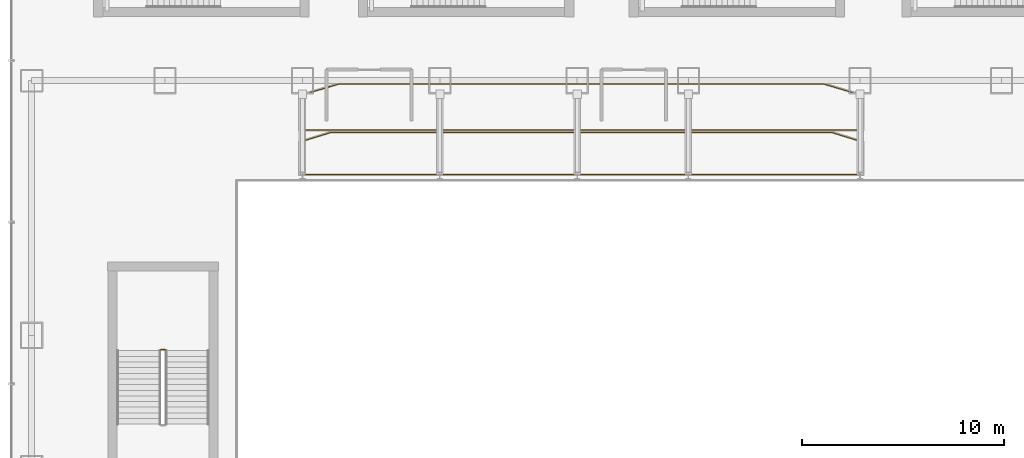
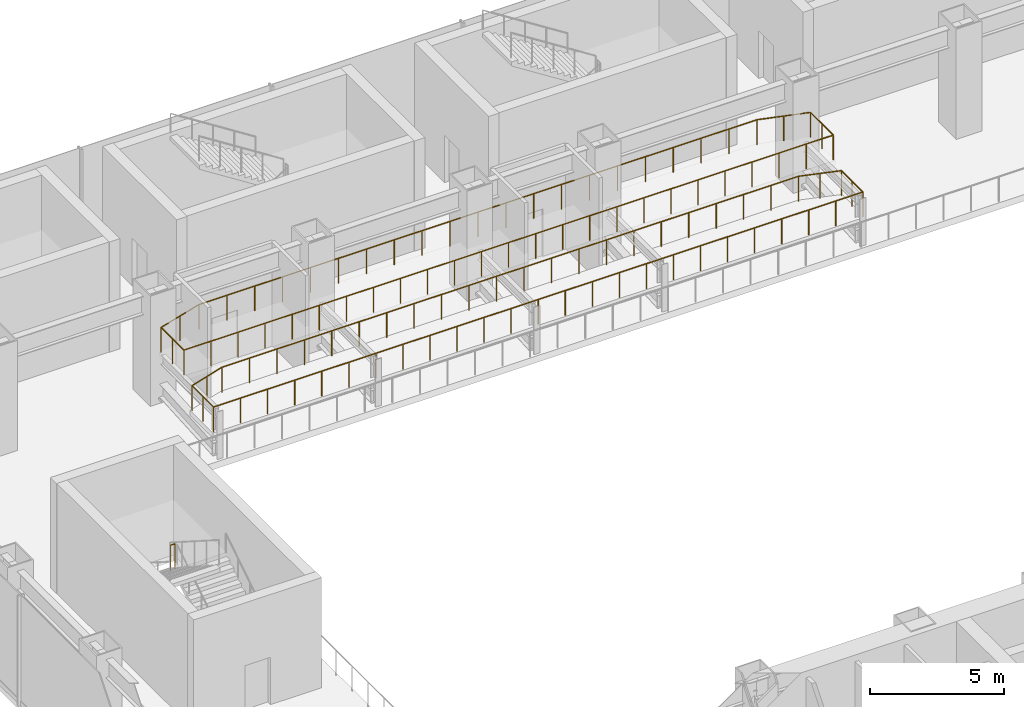
# One storey, part 35 of 39: 3 railings.
"""IFC4 building model written with IfcOpenShell, lengths in metres."""

from ifc_helpers import new_model, si_unit, derived_unit, direction, frame, origin, origin_2d, place, context, subcontext, project, spatial, circle, extrude, material, type_object, element, save


model = new_model("IFC4")

# Units and contexts
model_context = context("Model", 3, precision=1e-05, world=origin(), true_north=direction((0.0, 1.0)))
body_context = subcontext(model_context, "Body", "Model", "MODEL_VIEW")
ifc_project = project(units=[si_unit("LENGTHUNIT", "METRE"), si_unit("AREAUNIT", "SQUARE_METRE"), si_unit("VOLUMEUNIT", "CUBIC_METRE"), si_unit("PLANEANGLEUNIT", "RADIAN"), si_unit("MASSUNIT", "GRAM", prefix="KILO"), derived_unit("THERMALTRANSMITTANCEUNIT", [(si_unit("POWERUNIT", "WATT"), 1), (si_unit("LENGTHUNIT", "METRE"), -2), (si_unit("THERMODYNAMICTEMPERATUREUNIT", "KELVIN"), -1)])], contexts=[model_context])

# Site, building, storey
site_placement = place(None, origin())
site = spatial("IfcSite", under=ifc_project, at=site_placement, CompositionType="ELEMENT")
building_placement = place(site_placement, origin())
building = spatial("IfcBuilding", under=site, at=building_placement, Name="Skarnbrae Concourse Arena and Tower", CompositionType="ELEMENT")
storey_placement = place(building_placement, frame((0.0, 0.0, 16.0)))
storey = spatial("IfcBuildingStorey", under=building, at=storey_placement, Name="L03", CompositionType="ELEMENT", Elevation=16.0)

# Railings
ifc_material = material(Name="Steel CSA G40.21 350W", Category="steel")
railing_type_1 = type_object("IfcRailingType", Name="RAIL-GUARD-1150", PredefinedType="GUARDRAIL", material=ifc_material)
railing_1_placement = place(storey_placement, frame((14.260009765625, 42.360107421875, 1.1201171875)))
element("IfcRailing", 1, at=railing_1_placement, inside=storey, type_object=railing_type_1, Name="L03 Arena seating tier lower terrace guardrail", PredefinedType="GUARDRAIL", context=body_context, shape_type="SweptSolid", body=[
    extrude(circle(Radius=0.02392578125, at=origin_2d()), frame((0.0, 0.0, 1.1259765625), z_axis=(1.0, 0.0, 0.0), x_axis=(0.0, 1.0, 0.0)), (0.0, 0.0, 1.0), 27.8798828125),
    extrude(circle(Radius=0.02392578125, at=origin_2d()), frame((27.8798828125, 0.0, 1.1259765625), z_axis=(0.0, 1.0, 0.0), x_axis=(-1.0, 0.0, 0.0)), (0.0, 0.0, 1.0), 1.599853515625),
    extrude(circle(Radius=0.02392578125, at=origin_2d()), frame((27.8798828125, 1.599853515625, 1.1259765625), z_axis=(-0.955772539449, 0.29410687315, 0.0), x_axis=(-0.29410687315, -0.955772539449, 0.0)), (0.0, 0.0, 1.0), 1.632080078125),
    extrude(circle(Radius=0.02392578125, at=origin_2d()), frame((26.320068359375, 2.079833984375, 1.1259765625), z_axis=(-1.0, 0.0, 0.0), x_axis=(0.0, -1.0, 0.0)), (0.0, 0.0, 1.0), 24.760009765625),
    extrude(circle(Radius=0.02392578125, at=origin_2d()), frame((1.56005859375, 2.079833984375, 1.1259765625), z_axis=(-0.955785476607, -0.294064827388, 0.0), x_axis=(0.294064827388, -0.955785476607, 0.0)), (0.0, 0.0, 1.0), 1.63232421875),
    extrude(circle(Radius=0.02392578125, at=origin_2d()), frame((0.0, 1.599853515625, 1.1259765625), z_axis=(0.0, -1.0, 0.0), x_axis=(1.0, 0.0, 0.0)), (0.0, 0.0, 1.0), 1.599853515625),
    extrude(circle(Radius=0.02099609375, at=origin_2d()), origin(), (0.0, 0.0, 1.0), 1.101806640625),
    extrude(circle(Radius=0.02099609375, at=origin_2d()), frame((1.16162109375, 0.0, 0.0)), (0.0, 0.0, 1.0), 1.101806640625),
    extrude(circle(Radius=0.02099609375, at=origin_2d()), frame((2.3232421875, 0.0, 0.0)), (0.0, 0.0, 1.0), 1.101806640625),
    extrude(circle(Radius=0.02099609375, at=origin_2d()), frame((3.48486328125, 0.0, 0.0)), (0.0, 0.0, 1.0), 1.101806640625),
    extrude(circle(Radius=0.02099609375, at=origin_2d()), frame((4.646728515625, 0.0, 0.0)), (0.0, 0.0, 1.0), 1.101806640625),
    extrude(circle(Radius=0.02099609375, at=origin_2d()), frame((5.808349609375, 0.0, 0.0)), (0.0, 0.0, 1.0), 1.101806640625),
    extrude(circle(Radius=0.02099609375, at=origin_2d()), frame((6.969970703125, 0.0, 0.0)), (0.0, 0.0, 1.0), 1.101806640625),
    extrude(circle(Radius=0.02099609375, at=origin_2d()), frame((8.131591796875, 0.0, 0.0)), (0.0, 0.0, 1.0), 1.101806640625),
    extrude(circle(Radius=0.02099609375, at=origin_2d()), frame((9.293212890625, 0.0, 0.0)), (0.0, 0.0, 1.0), 1.101806640625),
    extrude(circle(Radius=0.02099609375, at=origin_2d()), frame((10.455078125, 0.0, 0.0)), (0.0, 0.0, 1.0), 1.101806640625),
    extrude(circle(Radius=0.02099609375, at=origin_2d()), frame((11.61669921875, 0.0, 0.0)), (0.0, 0.0, 1.0), 1.101806640625),
    extrude(circle(Radius=0.02099609375, at=origin_2d()), frame((12.7783203125, 0.0, 0.0)), (0.0, 0.0, 1.0), 1.101806640625),
    extrude(circle(Radius=0.02099609375, at=origin_2d()), frame((13.93994140625, 0.0, 0.0)), (0.0, 0.0, 1.0), 1.101806640625),
    extrude(circle(Radius=0.02099609375, at=origin_2d()), frame((15.1015625, 0.0, 0.0)), (0.0, 0.0, 1.0), 1.101806640625),
    extrude(circle(Radius=0.02099609375, at=origin_2d()), frame((16.26318359375, 0.0, 0.0)), (0.0, 0.0, 1.0), 1.101806640625),
    extrude(circle(Radius=0.02099609375, at=origin_2d()), frame((17.4248046875, 0.0, 0.0)), (0.0, 0.0, 1.0), 1.101806640625),
    extrude(circle(Radius=0.02099609375, at=origin_2d()), frame((18.586669921875, 0.0, 0.0)), (0.0, 0.0, 1.0), 1.101806640625),
    extrude(circle(Radius=0.02099609375, at=origin_2d()), frame((19.748291015625, 0.0, 0.0)), (0.0, 0.0, 1.0), 1.101806640625),
    extrude(circle(Radius=0.02099609375, at=origin_2d()), frame((20.909912109375, 0.0, 0.0)), (0.0, 0.0, 1.0), 1.101806640625),
    extrude(circle(Radius=0.02099609375, at=origin_2d()), frame((22.071533203125, 0.0, 0.0)), (0.0, 0.0, 1.0), 1.101806640625),
    extrude(circle(Radius=0.02099609375, at=origin_2d()), frame((23.233154296875, 0.0, 0.0)), (0.0, 0.0, 1.0), 1.101806640625),
    extrude(circle(Radius=0.02099609375, at=origin_2d()), frame((24.39501953125, 0.0, 0.0)), (0.0, 0.0, 1.0), 1.101806640625),
    extrude(circle(Radius=0.02099609375, at=origin_2d()), frame((25.556640625, 0.0, 0.0)), (0.0, 0.0, 1.0), 1.101806640625),
    extrude(circle(Radius=0.02099609375, at=origin_2d()), frame((26.71826171875, 0.0, 0.0)), (0.0, 0.0, 1.0), 1.101806640625),
    extrude(circle(Radius=0.02099609375, at=origin_2d()), frame((27.8798828125, 0.0, 0.0)), (0.0, 0.0, 1.0), 1.101806640625),
    extrude(circle(Radius=0.02099609375, at=origin_2d()), frame((27.8798828125, 0.7998046875, 0.0)), (0.0, 0.0, 1.0), 1.101806640625),
    extrude(circle(Radius=0.02099609375, at=origin_2d()), frame((27.8798828125, 1.599853515625, 0.0)), (0.0, 0.0, 1.0), 1.101806640625),
    extrude(circle(Radius=0.02099609375, at=origin_2d()), frame((27.10009765625, 1.83984375, 0.0)), (0.0, 0.0, 1.0), 1.101806640625),
    extrude(circle(Radius=0.02099609375, at=origin_2d()), frame((26.320068359375, 2.079833984375, 0.0)), (0.0, 0.0, 1.0), 1.101806640625),
    extrude(circle(Radius=0.02099609375, at=origin_2d()), frame((25.14111328125, 2.079833984375, 0.0)), (0.0, 0.0, 1.0), 1.101806640625),
    extrude(circle(Radius=0.02099609375, at=origin_2d()), frame((23.9619140625, 2.079833984375, 0.0)), (0.0, 0.0, 1.0), 1.101806640625),
    extrude(circle(Radius=0.02099609375, at=origin_2d()), frame((22.782958984375, 2.079833984375, 0.0)), (0.0, 0.0, 1.0), 1.101806640625),
    extrude(circle(Radius=0.02099609375, at=origin_2d()), frame((21.603759765625, 2.079833984375, 0.0)), (0.0, 0.0, 1.0), 1.101806640625),
    extrude(circle(Radius=0.02099609375, at=origin_2d()), frame((20.4248046875, 2.079833984375, 0.0)), (0.0, 0.0, 1.0), 1.101806640625),
    extrude(circle(Radius=0.02099609375, at=origin_2d()), frame((19.245849609375, 2.079833984375, 0.0)), (0.0, 0.0, 1.0), 1.101806640625),
    extrude(circle(Radius=0.02099609375, at=origin_2d()), frame((18.066650390625, 2.079833984375, 0.0)), (0.0, 0.0, 1.0), 1.101806640625),
    extrude(circle(Radius=0.02099609375, at=origin_2d()), frame((16.8876953125, 2.079833984375, 0.0)), (0.0, 0.0, 1.0), 1.101806640625),
    extrude(circle(Radius=0.02099609375, at=origin_2d()), frame((15.708740234375, 2.079833984375, 0.0)), (0.0, 0.0, 1.0), 1.101806640625),
    extrude(circle(Radius=0.02099609375, at=origin_2d()), frame((14.529541015625, 2.079833984375, 0.0)), (0.0, 0.0, 1.0), 1.101806640625),
    extrude(circle(Radius=0.02099609375, at=origin_2d()), frame((13.3505859375, 2.079833984375, 0.0)), (0.0, 0.0, 1.0), 1.101806640625),
    extrude(circle(Radius=0.02099609375, at=origin_2d()), frame((12.17138671875, 2.079833984375, 0.0)), (0.0, 0.0, 1.0), 1.101806640625),
    extrude(circle(Radius=0.02099609375, at=origin_2d()), frame((10.992431640625, 2.079833984375, 0.0)), (0.0, 0.0, 1.0), 1.101806640625),
    extrude(circle(Radius=0.02099609375, at=origin_2d()), frame((9.8134765625, 2.079833984375, 0.0)), (0.0, 0.0, 1.0), 1.101806640625),
    extrude(circle(Radius=0.02099609375, at=origin_2d()), frame((8.63427734375, 2.079833984375, 0.0)), (0.0, 0.0, 1.0), 1.101806640625),
    extrude(circle(Radius=0.02099609375, at=origin_2d()), frame((7.455322265625, 2.079833984375, 0.0)), (0.0, 0.0, 1.0), 1.101806640625),
    extrude(circle(Radius=0.02099609375, at=origin_2d()), frame((6.2763671875, 2.079833984375, 0.0)), (0.0, 0.0, 1.0), 1.101806640625),
    extrude(circle(Radius=0.02099609375, at=origin_2d()), frame((5.09716796875, 2.079833984375, 0.0)), (0.0, 0.0, 1.0), 1.101806640625),
    extrude(circle(Radius=0.02099609375, at=origin_2d()), frame((3.918212890625, 2.079833984375, 0.0)), (0.0, 0.0, 1.0), 1.101806640625),
    extrude(circle(Radius=0.02099609375, at=origin_2d()), frame((2.739013671875, 2.079833984375, 0.0)), (0.0, 0.0, 1.0), 1.101806640625),
    extrude(circle(Radius=0.02099609375, at=origin_2d()), frame((1.56005859375, 2.079833984375, 0.0)), (0.0, 0.0, 1.0), 1.101806640625),
    extrude(circle(Radius=0.02099609375, at=origin_2d()), frame((0.780029296875, 1.83984375, 0.0)), (0.0, 0.0, 1.0), 1.101806640625),
    extrude(circle(Radius=0.02099609375, at=origin_2d()), frame((0.0, 1.599853515625, 0.0)), (0.0, 0.0, 1.0), 1.101806640625),
    extrude(circle(Radius=0.02099609375, at=origin_2d()), frame((0.0, 0.7998046875, 0.0)), (0.0, 0.0, 1.0), 1.101806640625),
])
railing_2_placement = place(storey_placement, frame((14.260009765625, 44.56005859375, 2.3701171875)))
element("IfcRailing", 2, at=railing_2_placement, inside=storey, type_object=railing_type_1, Name="L03 Arena seating tier upper terrace guardrail", PredefinedType="GUARDRAIL", context=body_context, shape_type="SweptSolid", body=[
    extrude(circle(Radius=0.02392578125, at=origin_2d()), frame((0.0, 0.0, 1.1259765625), z_axis=(1.0, 0.0, 0.0), x_axis=(0.0, 1.0, 0.0)), (0.0, 0.0, 1.0), 27.8798828125),
    extrude(circle(Radius=0.02392578125, at=origin_2d()), frame((27.8798828125, 0.0, 1.1259765625), z_axis=(0.0, 1.0, 0.0), x_axis=(-1.0, 0.0, 0.0)), (0.0, 0.0, 1.0), 1.699951171875),
    extrude(circle(Radius=0.02392578125, at=origin_2d()), frame((27.8798828125, 1.699951171875, 1.1259765625), z_axis=(-0.958884825768, 0.283795508972, 0.0), x_axis=(-0.283795508972, -0.958884825768, 0.0)), (0.0, 0.0, 1.0), 2.0439453125),
    extrude(circle(Radius=0.02392578125, at=origin_2d()), frame((25.919921875, 2.280029296875, 1.1259765625), z_axis=(-1.0, 0.0, 0.0), x_axis=(0.0, -1.0, 0.0)), (0.0, 0.0, 1.0), 23.9599609375),
    extrude(circle(Radius=0.02392578125, at=origin_2d()), frame((1.9599609375, 2.280029296875, 1.1259765625), z_axis=(-0.958884825768, -0.283795508972, 0.0), x_axis=(0.283795508972, -0.958884825768, 0.0)), (0.0, 0.0, 1.0), 2.0439453125),
    extrude(circle(Radius=0.02392578125, at=origin_2d()), frame((0.0, 1.699951171875, 1.1259765625), z_axis=(0.0, -1.0, 0.0), x_axis=(1.0, 0.0, 0.0)), (0.0, 0.0, 1.0), 1.699951171875),
    extrude(circle(Radius=0.02099609375, at=origin_2d()), origin(), (0.0, 0.0, 1.0), 1.101806640625),
    extrude(circle(Radius=0.02099609375, at=origin_2d()), frame((1.16162109375, 0.0, 0.0)), (0.0, 0.0, 1.0), 1.101806640625),
    extrude(circle(Radius=0.02099609375, at=origin_2d()), frame((2.3232421875, 0.0, 0.0)), (0.0, 0.0, 1.0), 1.101806640625),
    extrude(circle(Radius=0.02099609375, at=origin_2d()), frame((3.48486328125, 0.0, 0.0)), (0.0, 0.0, 1.0), 1.101806640625),
    extrude(circle(Radius=0.02099609375, at=origin_2d()), frame((4.646728515625, 0.0, 0.0)), (0.0, 0.0, 1.0), 1.101806640625),
    extrude(circle(Radius=0.02099609375, at=origin_2d()), frame((5.808349609375, 0.0, 0.0)), (0.0, 0.0, 1.0), 1.101806640625),
    extrude(circle(Radius=0.02099609375, at=origin_2d()), frame((6.969970703125, 0.0, 0.0)), (0.0, 0.0, 1.0), 1.101806640625),
    extrude(circle(Radius=0.02099609375, at=origin_2d()), frame((8.131591796875, 0.0, 0.0)), (0.0, 0.0, 1.0), 1.101806640625),
    extrude(circle(Radius=0.02099609375, at=origin_2d()), frame((9.293212890625, 0.0, 0.0)), (0.0, 0.0, 1.0), 1.101806640625),
    extrude(circle(Radius=0.02099609375, at=origin_2d()), frame((10.455078125, 0.0, 0.0)), (0.0, 0.0, 1.0), 1.101806640625),
    extrude(circle(Radius=0.02099609375, at=origin_2d()), frame((11.61669921875, 0.0, 0.0)), (0.0, 0.0, 1.0), 1.101806640625),
    extrude(circle(Radius=0.02099609375, at=origin_2d()), frame((12.7783203125, 0.0, 0.0)), (0.0, 0.0, 1.0), 1.101806640625),
    extrude(circle(Radius=0.02099609375, at=origin_2d()), frame((13.93994140625, 0.0, 0.0)), (0.0, 0.0, 1.0), 1.101806640625),
    extrude(circle(Radius=0.02099609375, at=origin_2d()), frame((15.1015625, 0.0, 0.0)), (0.0, 0.0, 1.0), 1.101806640625),
    extrude(circle(Radius=0.02099609375, at=origin_2d()), frame((16.26318359375, 0.0, 0.0)), (0.0, 0.0, 1.0), 1.101806640625),
    extrude(circle(Radius=0.02099609375, at=origin_2d()), frame((17.4248046875, 0.0, 0.0)), (0.0, 0.0, 1.0), 1.101806640625),
    extrude(circle(Radius=0.02099609375, at=origin_2d()), frame((18.586669921875, 0.0, 0.0)), (0.0, 0.0, 1.0), 1.101806640625),
    extrude(circle(Radius=0.02099609375, at=origin_2d()), frame((19.748291015625, 0.0, 0.0)), (0.0, 0.0, 1.0), 1.101806640625),
    extrude(circle(Radius=0.02099609375, at=origin_2d()), frame((20.909912109375, 0.0, 0.0)), (0.0, 0.0, 1.0), 1.101806640625),
    extrude(circle(Radius=0.02099609375, at=origin_2d()), frame((22.071533203125, 0.0, 0.0)), (0.0, 0.0, 1.0), 1.101806640625),
    extrude(circle(Radius=0.02099609375, at=origin_2d()), frame((23.233154296875, 0.0, 0.0)), (0.0, 0.0, 1.0), 1.101806640625),
    extrude(circle(Radius=0.02099609375, at=origin_2d()), frame((24.39501953125, 0.0, 0.0)), (0.0, 0.0, 1.0), 1.101806640625),
    extrude(circle(Radius=0.02099609375, at=origin_2d()), frame((25.556640625, 0.0, 0.0)), (0.0, 0.0, 1.0), 1.101806640625),
    extrude(circle(Radius=0.02099609375, at=origin_2d()), frame((26.71826171875, 0.0, 0.0)), (0.0, 0.0, 1.0), 1.101806640625),
    extrude(circle(Radius=0.02099609375, at=origin_2d()), frame((27.8798828125, 0.0, 0.0)), (0.0, 0.0, 1.0), 1.101806640625),
    extrude(circle(Radius=0.02099609375, at=origin_2d()), frame((27.8798828125, 0.85009765625, 0.0)), (0.0, 0.0, 1.0), 1.101806640625),
    extrude(circle(Radius=0.02099609375, at=origin_2d()), frame((27.8798828125, 1.699951171875, 0.0)), (0.0, 0.0, 1.0), 1.101806640625),
    extrude(circle(Radius=0.02099609375, at=origin_2d()), frame((26.89990234375, 1.989990234375, 0.0)), (0.0, 0.0, 1.0), 1.101806640625),
    extrude(circle(Radius=0.02099609375, at=origin_2d()), frame((25.919921875, 2.280029296875, 0.0)), (0.0, 0.0, 1.0), 1.101806640625),
    extrude(circle(Radius=0.02099609375, at=origin_2d()), frame((24.721923828125, 2.280029296875, 0.0)), (0.0, 0.0, 1.0), 1.101806640625),
    extrude(circle(Radius=0.02099609375, at=origin_2d()), frame((23.52392578125, 2.280029296875, 0.0)), (0.0, 0.0, 1.0), 1.101806640625),
    extrude(circle(Radius=0.02099609375, at=origin_2d()), frame((22.325927734375, 2.280029296875, 0.0)), (0.0, 0.0, 1.0), 1.101806640625),
    extrude(circle(Radius=0.02099609375, at=origin_2d()), frame((21.1279296875, 2.280029296875, 0.0)), (0.0, 0.0, 1.0), 1.101806640625),
    extrude(circle(Radius=0.02099609375, at=origin_2d()), frame((19.929931640625, 2.280029296875, 0.0)), (0.0, 0.0, 1.0), 1.101806640625),
    extrude(circle(Radius=0.02099609375, at=origin_2d()), frame((18.73193359375, 2.280029296875, 0.0)), (0.0, 0.0, 1.0), 1.101806640625),
    extrude(circle(Radius=0.02099609375, at=origin_2d()), frame((17.533935546875, 2.280029296875, 0.0)), (0.0, 0.0, 1.0), 1.101806640625),
    extrude(circle(Radius=0.02099609375, at=origin_2d()), frame((16.3359375, 2.280029296875, 0.0)), (0.0, 0.0, 1.0), 1.101806640625),
    extrude(circle(Radius=0.02099609375, at=origin_2d()), frame((15.137939453125, 2.280029296875, 0.0)), (0.0, 0.0, 1.0), 1.101806640625),
    extrude(circle(Radius=0.02099609375, at=origin_2d()), frame((13.93994140625, 2.280029296875, 0.0)), (0.0, 0.0, 1.0), 1.101806640625),
    extrude(circle(Radius=0.02099609375, at=origin_2d()), frame((12.741943359375, 2.280029296875, 0.0)), (0.0, 0.0, 1.0), 1.101806640625),
    extrude(circle(Radius=0.02099609375, at=origin_2d()), frame((11.5439453125, 2.280029296875, 0.0)), (0.0, 0.0, 1.0), 1.101806640625),
    extrude(circle(Radius=0.02099609375, at=origin_2d()), frame((10.345947265625, 2.280029296875, 0.0)), (0.0, 0.0, 1.0), 1.101806640625),
    extrude(circle(Radius=0.02099609375, at=origin_2d()), frame((9.14794921875, 2.280029296875, 0.0)), (0.0, 0.0, 1.0), 1.101806640625),
    extrude(circle(Radius=0.02099609375, at=origin_2d()), frame((7.949951171875, 2.280029296875, 0.0)), (0.0, 0.0, 1.0), 1.101806640625),
    extrude(circle(Radius=0.02099609375, at=origin_2d()), frame((6.751953125, 2.280029296875, 0.0)), (0.0, 0.0, 1.0), 1.101806640625),
    extrude(circle(Radius=0.02099609375, at=origin_2d()), frame((5.553955078125, 2.280029296875, 0.0)), (0.0, 0.0, 1.0), 1.101806640625),
    extrude(circle(Radius=0.02099609375, at=origin_2d()), frame((4.35595703125, 2.280029296875, 0.0)), (0.0, 0.0, 1.0), 1.101806640625),
    extrude(circle(Radius=0.02099609375, at=origin_2d()), frame((3.157958984375, 2.280029296875, 0.0)), (0.0, 0.0, 1.0), 1.101806640625),
    extrude(circle(Radius=0.02099609375, at=origin_2d()), frame((1.9599609375, 2.280029296875, 0.0)), (0.0, 0.0, 1.0), 1.101806640625),
    extrude(circle(Radius=0.02099609375, at=origin_2d()), frame((0.97998046875, 1.989990234375, 0.0)), (0.0, 0.0, 1.0), 1.101806640625),
    extrude(circle(Radius=0.02099609375, at=origin_2d()), frame((0.0, 1.699951171875, 0.0)), (0.0, 0.0, 1.0), 1.101806640625),
    extrude(circle(Radius=0.02099609375, at=origin_2d()), frame((0.0, 0.85009765625, 0.0)), (0.0, 0.0, 1.0), 1.101806640625),
])
railing_type_2 = type_object("IfcRailingType", Name="RAIL-STAIR-GUARD-1150", PredefinedType="GUARDRAIL", material=ifc_material)
railing_3_placement = place(storey_placement, frame((7.60009765625, 33.68994140625, 2.5)))
element("IfcRailing", 3, at=railing_3_placement, inside=storey, type_object=railing_type_2, Name="L03 ST-A3 stair guard 2", PredefinedType="GUARDRAIL", context=body_context, shape_type="SweptSolid", body=[
    extrude(circle(Radius=0.02392578125, at=origin_2d()), frame((0.0, 0.0, 1.1259765625), z_axis=(-1.0, 0.0, 0.0), x_axis=(0.0, -1.0, 0.0)), (0.0, 0.0, 1.0), 0.2001953125),
    extrude(circle(Radius=0.02099609375, at=origin_2d()), origin(), (0.0, 0.0, 1.0), 1.101806640625),
    extrude(circle(Radius=0.02099609375, at=origin_2d()), frame((-0.2001953125, 0.0, 0.0)), (0.0, 0.0, 1.0), 1.101806640625),
])

save(model, "model.ifc")
